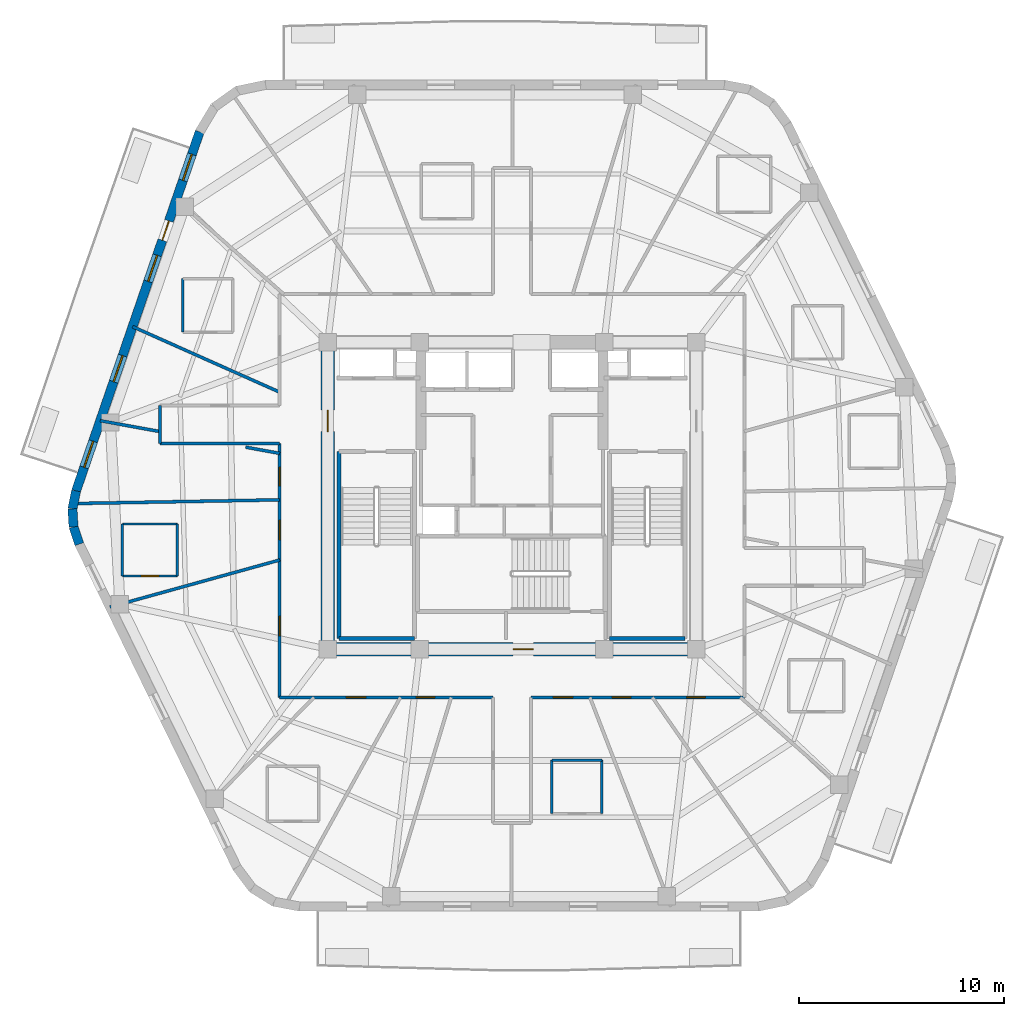
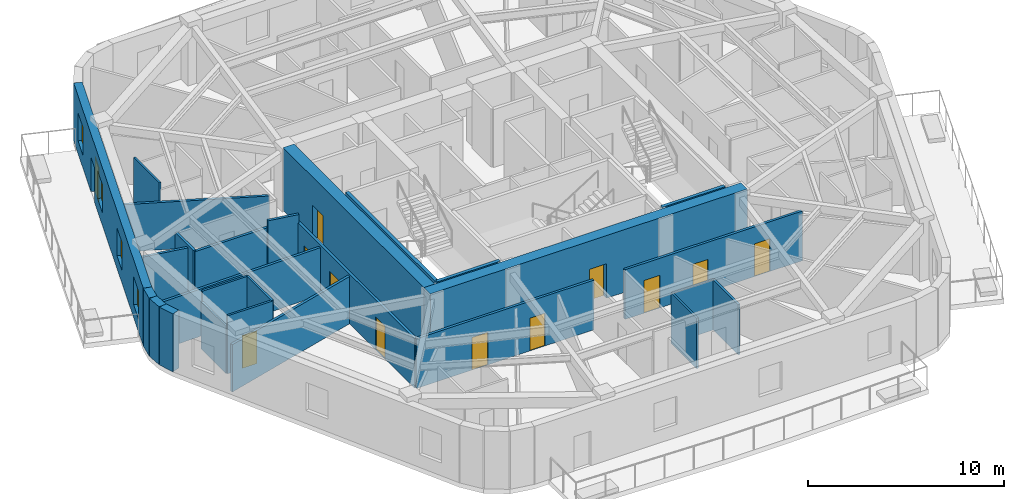
# One storey, part 3 of 9: 27 walls, 12 doors, 4 windows, 16 openings.
"""IFC4 building model written with IfcOpenShell, lengths in metres."""

from ifc_helpers import new_model, si_unit, direction, frame, frame_2d, origin, place, context, subcontext, project, spatial, rectangle, extrude, material, layer, layer_set, type_object, element, fill, save


model = new_model("IFC4")

# Units and contexts
model_context = context("Model", 3, precision=1e-05, world=origin(), true_north=direction((0.0, 1.0)))
body_context = subcontext(model_context, "Body", "Model", "MODEL_VIEW")
ifc_project = project(units=[si_unit("LENGTHUNIT", "METRE"), si_unit("AREAUNIT", "SQUARE_METRE"), si_unit("VOLUMEUNIT", "CUBIC_METRE"), si_unit("PLANEANGLEUNIT", "RADIAN"), si_unit("MASSUNIT", "GRAM", prefix="KILO")], contexts=[model_context])

# Site, building, storey
site_placement = place(None, origin())
site = spatial("IfcSite", under=ifc_project, at=site_placement, CompositionType="ELEMENT")
building_placement = place(site_placement, origin())
building = spatial("IfcBuilding", under=site, at=building_placement, Name="Kilnhurst Terrace Hotel", CompositionType="ELEMENT")
storey_placement = place(building_placement, frame((0.0, 0.0, 261.300048828125)))
storey = spatial("IfcBuildingStorey", under=building, at=storey_placement, Name="L65", CompositionType="ELEMENT", Elevation=261.300048828125)

# Walls
ifc_material_1 = material(Name="Precast concrete C40/50", Category="concrete")
ifc_layer_1 = layer(ifc_material_1, 0.449951171875, Name="Precast concrete C40/50")
ifc_layer_set_1 = layer_set([ifc_layer_1], Name="Precast concrete C40/50")
wall_type_1 = type_object("IfcWallType", Name="WL-BRK-450", PredefinedType="SOLIDWALL", material=ifc_layer_set_1)
wall_1_placement = place(storey_placement, frame((-21.297607421875, 0.2333984375, 0.0), z_axis=(0.0, 0.0, 1.0), x_axis=(-0.199158176661, -0.979967356941, 0.0)))
element("IfcWall", 1, at=wall_1_placement, inside=storey, type_object=wall_type_1, Name="L65 Rounded Corner Brick Wall C6.1", PredefinedType="SOLIDWALL", context=body_context, shape_type="SweptSolid", body=[
    extrude(rectangle(XDim=0.894775390625, YDim=0.449951171875, at=frame_2d((0.447265625, 0.0))), origin(), (0.0, 0.0, 1.0), 3.599853515625),
])
wall_2_placement = place(storey_placement, frame((-21.475830078125, -0.6435546875, 0.0), z_axis=(0.0, 0.0, 1.0), x_axis=(0.061031097918, -0.998135865044, 0.0)))
element("IfcWall", 2, at=wall_2_placement, inside=storey, type_object=wall_type_1, Name="L65 Rounded Corner Brick Wall C6.2", PredefinedType="SOLIDWALL", context=body_context, shape_type="SweptSolid", body=[
    extrude(rectangle(XDim=0.880126953125, YDim=0.449951171875, at=frame_2d((0.43994140625, 0.0))), origin(), (0.0, 0.0, 1.0), 3.599853515625),
])
wall_3_placement = place(storey_placement, frame((-21.422119140625, -1.52197265625, 0.0), z_axis=(0.0, 0.0, 1.0), x_axis=(0.316964162323, -0.94843751497, 0.0)))
element("IfcWall", 3, at=wall_3_placement, inside=storey, type_object=wall_type_1, Name="L65 Rounded Corner Brick Wall C6.3", PredefinedType="SOLIDWALL", context=body_context, shape_type="SweptSolid", body=[
    extrude(rectangle(XDim=0.89501953125, YDim=0.449951171875, at=frame_2d((0.447509765625, 0.0))), origin(), (0.0, 0.0, 1.0), 3.599853515625),
])

# Wall, openings, door, windows
wall_4_placement = place(storey_placement, frame((-15.260498046875, 17.776123046875, 0.0), z_axis=(0.0, 0.0, 1.0), x_axis=(-0.325407437101, -0.945573899745, 0.0)))
wall_4 = element("IfcWall", 4, at=wall_4_placement, inside=storey, type_object=wall_type_1, Name="L65 Exterior Brick Facade Wall F5", PredefinedType="SOLIDWALL", context=body_context, shape_type="SweptSolid", body=[
    extrude(rectangle(XDim=18.552490234375, YDim=0.449951171875, at=frame_2d((9.2763671875, 0.0))), origin(), (0.0, 0.0, 1.0), 3.599853515625),
])
opening_1_placement = place(wall_4_placement, frame((4.60205078125, 0.0, 0.0)))
opening_1 = element("IfcOpeningElement", 5, at=opening_1_placement, cuts=wall_4, Name="Opening BD-1000", PredefinedType="OPENING", context=body_context, shape_type="SweptSolid", body=[
    extrude(rectangle(XDim=1.0, YDim=2.14990234375, at=frame_2d((0.5, 1.074951171875))), frame((0.0, 0.23486328125, 0.0), z_axis=(0.0, -1.0, 0.0), x_axis=(1.0, 0.0, 0.0)), (0.0, 0.0, 1.0), 0.469970703125),
])
opening_2_placement = place(wall_4_placement, frame((1.160888671875, 0.0, 0.800048828125)))
opening_2 = element("IfcOpeningElement", 6, at=opening_2_placement, cuts=wall_4, Name="Opening W-06", PredefinedType="OPENING", context=body_context, shape_type="SweptSolid", body=[
    extrude(rectangle(XDim=1.35009765625, YDim=1.75, at=frame_2d((0.675048828125, 0.875))), frame((0.0, 0.23486328125, 0.0), z_axis=(0.0, -1.0, 0.0), x_axis=(1.0, 0.0, 0.0)), (0.0, 0.0, 1.0), 0.469970703125),
])
opening_3_placement = place(wall_4_placement, frame((6.37890625, 0.0, 0.800048828125)))
opening_3 = element("IfcOpeningElement", 7, at=opening_3_placement, cuts=wall_4, Name="Opening W-06", PredefinedType="OPENING", context=body_context, shape_type="SweptSolid", body=[
    extrude(rectangle(XDim=1.35009765625, YDim=1.75, at=frame_2d((0.675048828125, 0.875))), frame((0.0, 0.23486328125, 0.0), z_axis=(0.0, -1.0, 0.0), x_axis=(1.0, 0.0, 0.0)), (0.0, 0.0, 1.0), 0.469970703125),
])
opening_4_placement = place(wall_4_placement, frame((11.56103515625, 0.0, 0.800048828125)))
opening_4 = element("IfcOpeningElement", 8, at=opening_4_placement, cuts=wall_4, Name="Opening W-06", PredefinedType="OPENING", context=body_context, shape_type="SweptSolid", body=[
    extrude(rectangle(XDim=1.35009765625, YDim=1.75, at=frame_2d((0.675048828125, 0.875))), frame((0.0, 0.23486328125, 0.0), z_axis=(0.0, -1.0, 0.0), x_axis=(1.0, 0.0, 0.0)), (0.0, 0.0, 1.0), 0.469970703125),
])
opening_5_placement = place(wall_4_placement, frame((15.987060546875, 0.0, 0.800048828125)))
opening_5 = element("IfcOpeningElement", 9, at=opening_5_placement, cuts=wall_4, Name="Opening W-06", PredefinedType="OPENING", context=body_context, shape_type="SweptSolid", body=[
    extrude(rectangle(XDim=1.35009765625, YDim=1.75, at=frame_2d((0.675048828125, 0.875))), frame((0.0, 0.23486328125, 0.0), z_axis=(0.0, -1.0, 0.0), x_axis=(1.0, 0.0, 0.0)), (0.0, 0.0, 1.0), 0.469970703125),
])
ifc_material_2 = material(Name="Thermally Broken Bronze Aluminium Alloy 6063-T6 and Laminated Glass", Category="aluminium")
door_type_1 = type_object("IfcDoorType", Name="DR-EXT-BAL-1000", OperationType="NOTDEFINED", PredefinedType="DOOR", material=ifc_material_2)
door_1_placement = place(opening_1_placement, origin())
door_1 = element("IfcDoor", 10, at=door_1_placement, inside=storey, type_object=door_type_1, Name="L65 Planted Balcony Door BAL-L2B", OperationType="SINGLE_SWING_LEFT", OverallHeight=2.14990234375, OverallWidth=1.0, PredefinedType="DOOR", context=body_context, shape_type="SweptSolid", body=[
    extrude(rectangle(XDim=1.0, YDim=2.14990234375, at=frame_2d((0.5, 1.074951171875))), frame((0.0, 0.02490234375, 0.0), z_axis=(0.0, -1.0, 0.0), x_axis=(1.0, 0.0, 0.0)), (0.0, 0.0, 1.0), 0.050048828125),
])
fill(opening_1, door_1)
ifc_material_3 = material(Name="Thermally Broken Bronze Aluminium Alloy 6063-T6 and Low-E Glass", Category="aluminium")
window_type = type_object("IfcWindowType", Name="WIN-1350X1750", PartitioningType="SINGLE_PANEL", PredefinedType="WINDOW", material=ifc_material_3)
window_1_placement = place(opening_2_placement, origin())
window_1 = element("IfcWindow", 11, at=window_1_placement, inside=storey, type_object=window_type, Name="L65 Deep-Set Masonry Window F5.1", OverallHeight=1.75, OverallWidth=1.35009765625, PartitioningType="SINGLE_PANEL", PredefinedType="WINDOW", context=body_context, shape_type="SweptSolid", body=[
    extrude(rectangle(XDim=1.35009765625, YDim=1.75, at=frame_2d((0.675048828125, 0.875))), frame((0.0, 0.030029296875, 0.0), z_axis=(0.0, -1.0, 0.0), x_axis=(1.0, 0.0, 0.0)), (0.0, 0.0, 1.0), 0.06005859375),
])
fill(opening_2, window_1)
window_2_placement = place(opening_3_placement, origin())
window_2 = element("IfcWindow", 12, at=window_2_placement, inside=storey, type_object=window_type, Name="L65 Deep-Set Masonry Window F5.2", OverallHeight=1.75, OverallWidth=1.35009765625, PartitioningType="SINGLE_PANEL", PredefinedType="WINDOW", context=body_context, shape_type="SweptSolid", body=[
    extrude(rectangle(XDim=1.35009765625, YDim=1.75, at=frame_2d((0.675048828125, 0.875))), frame((0.0, 0.030029296875, 0.0), z_axis=(0.0, -1.0, 0.0), x_axis=(1.0, 0.0, 0.0)), (0.0, 0.0, 1.0), 0.06005859375),
])
fill(opening_3, window_2)
window_3_placement = place(opening_4_placement, origin())
window_3 = element("IfcWindow", 13, at=window_3_placement, inside=storey, type_object=window_type, Name="L65 Deep-Set Masonry Window F5.3", OverallHeight=1.75, OverallWidth=1.35009765625, PartitioningType="SINGLE_PANEL", PredefinedType="WINDOW", context=body_context, shape_type="SweptSolid", body=[
    extrude(rectangle(XDim=1.35009765625, YDim=1.75, at=frame_2d((0.675048828125, 0.875))), frame((0.0, 0.030029296875, 0.0), z_axis=(0.0, -1.0, 0.0), x_axis=(1.0, 0.0, 0.0)), (0.0, 0.0, 1.0), 0.06005859375),
])
fill(opening_4, window_3)
window_4_placement = place(opening_5_placement, origin())
window_4 = element("IfcWindow", 14, at=window_4_placement, inside=storey, type_object=window_type, Name="L65 Deep-Set Masonry Window F5.4", OverallHeight=1.75, OverallWidth=1.35009765625, PartitioningType="SINGLE_PANEL", PredefinedType="WINDOW", context=body_context, shape_type="SweptSolid", body=[
    extrude(rectangle(XDim=1.35009765625, YDim=1.75, at=frame_2d((0.675048828125, 0.875))), frame((0.0, 0.030029296875, 0.0), z_axis=(0.0, -1.0, 0.0), x_axis=(1.0, 0.0, 0.0)), (0.0, 0.0, 1.0), 0.06005859375),
])
fill(opening_5, window_4)

# Wall, openings, doors
ifc_material_4 = material(Name="Acoustic Double-Gypsum Corridor Partition Assembly")
ifc_layer_2 = layer(ifc_material_4, 0.14990234375, Name="Acoustic Double-Gypsum Corridor Partition Assembly")
ifc_layer_set_2 = layer_set([ifc_layer_2], Name="Acoustic Double-Gypsum Corridor Partition Assembly")
wall_type_2 = type_object("IfcWallType", Name="WL-COR-150", PredefinedType="PARTITIONING", material=ifc_layer_set_2)
wall_5_placement = place(storey_placement, frame((-11.35009765625, -9.85009765625, 0.0), z_axis=(0.0, 0.0, 1.0), x_axis=(0.0, 1.0, 0.0)))
wall_5 = element("IfcWall", 15, at=wall_5_placement, inside=storey, type_object=wall_type_2, Name="L65 Interior Wall WL-L65-COR-01", PredefinedType="PARTITIONING", context=body_context, shape_type="SweptSolid", body=[
    extrude(rectangle(XDim=12.400146484375, YDim=0.14990234375, at=frame_2d((6.2001953125, 0.0))), origin(), (0.0, 0.0, 1.0), 3.08984375),
])
opening_6_placement = place(wall_5_placement, frame((10.3330078125, 0.0, 0.0)))
opening_6 = element("IfcOpeningElement", 16, at=opening_6_placement, cuts=wall_5, Name="Opening D-60C", PredefinedType="OPENING", context=body_context, shape_type="SweptSolid", body=[
    extrude(rectangle(XDim=0.89990234375, YDim=2.030029296875, at=frame_2d((0.449951171875, 1.01513671875))), frame((0.0, 0.0849609375, 0.0), z_axis=(0.0, -1.0, 0.0), x_axis=(1.0, 0.0, 0.0)), (0.0, 0.0, 1.0), 0.169921875),
])
opening_7_placement = place(wall_5_placement, frame((7.697021484375, 0.0, 0.0)))
opening_7 = element("IfcOpeningElement", 17, at=opening_7_placement, cuts=wall_5, Name="Opening D-60B", PredefinedType="OPENING", context=body_context, shape_type="SweptSolid", body=[
    extrude(rectangle(XDim=0.949951171875, YDim=2.030029296875, at=frame_2d((0.47509765625, 1.01513671875))), frame((0.0, 0.0849609375, 0.0), z_axis=(0.0, -1.0, 0.0), x_axis=(1.0, 0.0, 0.0)), (0.0, 0.0, 1.0), 0.169921875),
])
opening_8_placement = place(wall_5_placement, frame((2.998046875, 0.0, 0.0)))
opening_8 = element("IfcOpeningElement", 18, at=opening_8_placement, cuts=wall_5, Name="Opening D-60B", PredefinedType="OPENING", context=body_context, shape_type="SweptSolid", body=[
    extrude(rectangle(XDim=0.949951171875, YDim=2.030029296875, at=frame_2d((0.47509765625, 1.01513671875))), frame((0.0, 0.0849609375, 0.0), z_axis=(0.0, -1.0, 0.0), x_axis=(1.0, 0.0, 0.0)), (0.0, 0.0, 1.0), 0.169921875),
])
ifc_material_5 = material(Name="Painted Solid-Core Service Fire Door")
door_type_2 = type_object("IfcDoorType", Name="DR-FD60-900", OperationType="NOTDEFINED", PredefinedType="DOOR", material=ifc_material_5)
door_2_placement = place(opening_6_placement, origin())
door_2 = element("IfcDoor", 19, at=door_2_placement, inside=storey, type_object=door_type_2, Name="L65 Private Tasting Dining Room Door 11", OperationType="SINGLE_SWING_LEFT", OverallHeight=2.030029296875, OverallWidth=0.89990234375, PredefinedType="DOOR", context=body_context, shape_type="SweptSolid", body=[
    extrude(rectangle(XDim=0.89990234375, YDim=2.030029296875, at=frame_2d((0.449951171875, 1.01513671875))), frame((0.0, 0.02490234375, 0.0), z_axis=(0.0, -1.0, 0.0), x_axis=(1.0, 0.0, 0.0)), (0.0, 0.0, 1.0), 0.050048828125),
])
fill(opening_6, door_2)
ifc_material_6 = material(Name="Acoustic Walnut Veneer Solid-Core Fire Door")
door_type_3 = type_object("IfcDoorType", Name="DR-FD60-950", OperationType="NOTDEFINED", PredefinedType="DOOR", material=ifc_material_6)
door_3_placement = place(opening_7_placement, origin())
door_3 = element("IfcDoor", 20, at=door_3_placement, inside=storey, type_object=door_type_3, Name="L65 Guest Room Entry Door 12", OperationType="SINGLE_SWING_RIGHT", OverallHeight=2.030029296875, OverallWidth=0.949951171875, PredefinedType="DOOR", context=body_context, shape_type="SweptSolid", body=[
    extrude(rectangle(XDim=0.949951171875, YDim=2.030029296875, at=frame_2d((0.47509765625, 1.01513671875))), frame((0.0, 0.02490234375, 0.0), z_axis=(0.0, -1.0, 0.0), x_axis=(1.0, 0.0, 0.0)), (0.0, 0.0, 1.0), 0.050048828125),
])
fill(opening_7, door_3)
door_4_placement = place(opening_8_placement, origin())
door_4 = element("IfcDoor", 21, at=door_4_placement, inside=storey, type_object=door_type_3, Name="L65 Summit Club Lounge Door", OperationType="SINGLE_SWING_LEFT", OverallHeight=2.030029296875, OverallWidth=0.949951171875, PredefinedType="DOOR", context=body_context, shape_type="SweptSolid", body=[
    extrude(rectangle(XDim=0.949951171875, YDim=2.030029296875, at=frame_2d((0.47509765625, 1.01513671875))), frame((0.0, 0.02490234375, 0.0), z_axis=(0.0, -1.0, 0.0), x_axis=(1.0, 0.0, 0.0)), (0.0, 0.0, 1.0), 0.050048828125),
])
fill(opening_8, door_4)

# Walls
wall_6_placement = place(storey_placement, frame((-11.35009765625, 2.550048828125, 0.0), z_axis=(0.0, 0.0, 1.0), x_axis=(-1.0, 0.0, 0.0)))
element("IfcWall", 22, at=wall_6_placement, inside=storey, type_object=wall_type_2, Name="L65 Interior Wall WL-L65-COR-02", PredefinedType="PARTITIONING", context=body_context, shape_type="SweptSolid", body=[
    extrude(rectangle(XDim=5.849853515625, YDim=0.14990234375, at=frame_2d((2.9248046875, 0.0))), origin(), (0.0, 0.0, 1.0), 3.04052734375),
])
wall_7_placement = place(storey_placement, frame((-17.199951171875, 2.550048828125, 0.0), z_axis=(0.0, 0.0, 1.0), x_axis=(0.0, 1.0, 0.0)))
element("IfcWall", 23, at=wall_7_placement, inside=storey, type_object=wall_type_2, Name="L65 Interior Wall WL-L65-COR-03", PredefinedType="PARTITIONING", context=body_context, shape_type="SweptSolid", body=[
    extrude(rectangle(XDim=1.849853515625, YDim=0.14990234375, at=frame_2d((0.9248046875, 0.0))), origin(), (0.0, 0.0, 1.0), 3.08984375),
])

# Wall, openings, doors
wall_8_placement = place(storey_placement, frame((11.35009765625, -9.85009765625, 0.0), z_axis=(0.0, 0.0, 1.0), x_axis=(-1.0, 0.0, 0.0)))
wall_8 = element("IfcWall", 24, at=wall_8_placement, inside=storey, type_object=wall_type_2, Name="L65 Interior Wall WL-L65-COR-16", PredefinedType="PARTITIONING", context=body_context, shape_type="SweptSolid", body=[
    extrude(rectangle(XDim=10.43017578125, YDim=0.14990234375, at=frame_2d((5.215087890625, 0.0))), origin(), (0.0, 0.0, 1.0), 3.08984375),
])
opening_9_placement = place(wall_8_placement, frame((8.382080078125, 0.0, 0.0)))
opening_9 = element("IfcOpeningElement", 25, at=opening_9_placement, cuts=wall_8, Name="Opening D-60B", PredefinedType="OPENING", context=body_context, shape_type="SweptSolid", body=[
    extrude(rectangle(XDim=0.949951171875, YDim=2.030029296875, at=frame_2d((0.47509765625, 1.01513671875))), frame((0.0, 0.0849609375, 0.0), z_axis=(0.0, -1.0, 0.0), x_axis=(1.0, 0.0, 0.0)), (0.0, 0.0, 1.0), 0.169921875),
])
opening_10_placement = place(wall_8_placement, frame((5.541015625, 0.0, 0.0)))
opening_10 = element("IfcOpeningElement", 26, at=opening_10_placement, cuts=wall_8, Name="Opening D-60C", PredefinedType="OPENING", context=body_context, shape_type="SweptSolid", body=[
    extrude(rectangle(XDim=0.89990234375, YDim=2.030029296875, at=frame_2d((0.449951171875, 1.01513671875))), frame((0.0, 0.0849609375, 0.0), z_axis=(0.0, -1.0, 0.0), x_axis=(1.0, 0.0, 0.0)), (0.0, 0.0, 1.0), 0.169921875),
])
opening_11_placement = place(wall_8_placement, frame((1.916015625, 0.0, 0.0)))
opening_11 = element("IfcOpeningElement", 27, at=opening_11_placement, cuts=wall_8, Name="Opening D-60C", PredefinedType="OPENING", context=body_context, shape_type="SweptSolid", body=[
    extrude(rectangle(XDim=0.89990234375, YDim=2.030029296875, at=frame_2d((0.449951171875, 1.01513671875))), frame((0.0, 0.0849609375, 0.0), z_axis=(0.0, -1.0, 0.0), x_axis=(1.0, 0.0, 0.0)), (0.0, 0.0, 1.0), 0.169921875),
])
door_5_placement = place(opening_10_placement, origin())
door_5 = element("IfcDoor", 28, at=door_5_placement, inside=storey, type_object=door_type_2, Name="L65 Botanical Reading Lounge Door 18", OperationType="SINGLE_SWING_RIGHT", OverallHeight=2.030029296875, OverallWidth=0.89990234375, PredefinedType="DOOR", context=body_context, shape_type="SweptSolid", body=[
    extrude(rectangle(XDim=0.89990234375, YDim=2.030029296875, at=frame_2d((0.449951171875, 1.01513671875))), frame((0.0, 0.02490234375, 0.0), z_axis=(0.0, -1.0, 0.0), x_axis=(1.0, 0.0, 0.0)), (0.0, 0.0, 1.0), 0.050048828125),
])
fill(opening_10, door_5)
door_6_placement = place(opening_11_placement, origin())
door_6 = element("IfcDoor", 29, at=door_6_placement, inside=storey, type_object=door_type_2, Name="L65 Private Meeting Salon Door 19", OperationType="SINGLE_SWING_LEFT", OverallHeight=2.030029296875, OverallWidth=0.89990234375, PredefinedType="DOOR", context=body_context, shape_type="SweptSolid", body=[
    extrude(rectangle(XDim=0.89990234375, YDim=2.030029296875, at=frame_2d((0.449951171875, 1.01513671875))), frame((0.0, 0.02490234375, 0.0), z_axis=(0.0, -1.0, 0.0), x_axis=(1.0, 0.0, 0.0)), (0.0, 0.0, 1.0), 0.050048828125),
])
fill(opening_11, door_6)
door_7_placement = place(opening_9_placement, origin())
door_7 = element("IfcDoor", 30, at=door_7_placement, inside=storey, type_object=door_type_3, Name="L65 Guest Room Entry Door 17", OperationType="SINGLE_SWING_LEFT", OverallHeight=2.030029296875, OverallWidth=0.949951171875, PredefinedType="DOOR", context=body_context, shape_type="SweptSolid", body=[
    extrude(rectangle(XDim=0.949951171875, YDim=2.030029296875, at=frame_2d((0.47509765625, 1.01513671875))), frame((0.0, 0.02490234375, 0.0), z_axis=(0.0, -1.0, 0.0), x_axis=(1.0, 0.0, 0.0)), (0.0, 0.0, 1.0), 0.050048828125),
])
fill(opening_9, door_7)

wall_9_placement = place(storey_placement, frame((-0.919921875, -9.85009765625, 0.0), z_axis=(0.0, 0.0, 1.0), x_axis=(-1.0, 0.0, 0.0)))
wall_9 = element("IfcWall", 31, at=wall_9_placement, inside=storey, type_object=wall_type_2, Name="L65 Interior Wall WL-L65-COR-20", PredefinedType="PARTITIONING", context=body_context, shape_type="SweptSolid", body=[
    extrude(rectangle(XDim=10.43017578125, YDim=0.14990234375, at=frame_2d((5.215087890625, 0.0))), origin(), (0.0, 0.0, 1.0), 3.08984375),
])
opening_12_placement = place(wall_9_placement, frame((6.216064453125, 0.0, 0.0)))
opening_12 = element("IfcOpeningElement", 32, at=opening_12_placement, cuts=wall_9, Name="Opening D-60B", PredefinedType="OPENING", context=body_context, shape_type="SweptSolid", body=[
    extrude(rectangle(XDim=0.949951171875, YDim=2.030029296875, at=frame_2d((0.47509765625, 1.01513671875))), frame((0.0, 0.0849609375, 0.0), z_axis=(0.0, -1.0, 0.0), x_axis=(1.0, 0.0, 0.0)), (0.0, 0.0, 1.0), 0.169921875),
])
opening_13_placement = place(wall_9_placement, frame((2.860107421875, 0.0, 0.0)))
opening_13 = element("IfcOpeningElement", 33, at=opening_13_placement, cuts=wall_9, Name="Opening D-60C", PredefinedType="OPENING", context=body_context, shape_type="SweptSolid", body=[
    extrude(rectangle(XDim=0.89990234375, YDim=2.030029296875, at=frame_2d((0.449951171875, 1.01513671875))), frame((0.0, 0.0849609375, 0.0), z_axis=(0.0, -1.0, 0.0), x_axis=(1.0, 0.0, 0.0)), (0.0, 0.0, 1.0), 0.169921875),
])
door_8_placement = place(opening_13_placement, origin())
door_8 = element("IfcDoor", 34, at=door_8_placement, inside=storey, type_object=door_type_2, Name="L65 Executive Work Office Door 15", OperationType="SINGLE_SWING_LEFT", OverallHeight=2.030029296875, OverallWidth=0.89990234375, PredefinedType="DOOR", context=body_context, shape_type="SweptSolid", body=[
    extrude(rectangle(XDim=0.89990234375, YDim=2.030029296875, at=frame_2d((0.449951171875, 1.01513671875))), frame((0.0, 0.02490234375, 0.0), z_axis=(0.0, -1.0, 0.0), x_axis=(1.0, 0.0, 0.0)), (0.0, 0.0, 1.0), 0.050048828125),
])
fill(opening_13, door_8)
door_9_placement = place(opening_12_placement, origin())
door_9 = element("IfcDoor", 35, at=door_9_placement, inside=storey, type_object=door_type_3, Name="L65 Guest Room Entry Door 14", OperationType="SINGLE_SWING_RIGHT", OverallHeight=2.030029296875, OverallWidth=0.949951171875, PredefinedType="DOOR", context=body_context, shape_type="SweptSolid", body=[
    extrude(rectangle(XDim=0.949951171875, YDim=2.030029296875, at=frame_2d((0.47509765625, 1.01513671875))), frame((0.0, 0.02490234375, 0.0), z_axis=(0.0, -1.0, 0.0), x_axis=(1.0, 0.0, 0.0)), (0.0, 0.0, 1.0), 0.050048828125),
])
fill(opening_12, door_9)

# Wall, opening, door
ifc_material_7 = material(Name="Concrete C60/75", Category="concrete")
ifc_layer_3 = layer(ifc_material_7, 0.64990234375, Name="Concrete C60/75")
ifc_layer_set_3 = layer_set([ifc_layer_3], Name="Concrete C60/75")
wall_type_3 = type_object("IfcWallType", Name="WL-CORE-650", PredefinedType="SHEAR", material=ifc_layer_set_3)
wall_10_placement = place(storey_placement, frame((-9.324951171875, -7.5, 0.0), z_axis=(0.0, 0.0, 1.0), x_axis=(1.0, 0.0, 0.0)))
wall_10 = element("IfcWall", 36, at=wall_10_placement, inside=storey, type_object=wall_type_3, Name="L65 Core South Shear Wall", PredefinedType="SHEAR", context=body_context, shape_type="SweptSolid", body=[
    extrude(rectangle(XDim=18.64990234375, YDim=0.64990234375, at=frame_2d((9.324951171875, 0.0))), origin(), (0.0, 0.0, 1.0), 3.89990234375),
])
opening_14_placement = place(wall_10_placement, frame((9.375, 0.0, 0.0)))
opening_14 = element("IfcOpeningElement", 37, at=opening_14_placement, cuts=wall_10, Name="Opening D-90B", PredefinedType="OPENING", context=body_context, shape_type="SweptSolid", body=[
    extrude(rectangle(XDim=1.0, YDim=2.14990234375, at=frame_2d((0.5, 1.074951171875))), frame((0.0, 0.3349609375, 0.0), z_axis=(0.0, -1.0, 0.0), x_axis=(1.0, 0.0, 0.0)), (0.0, 0.0, 1.0), 0.669921875),
])
ifc_material_8 = material(Name="Painted Hollow Metal Steel ASTM A36 Fire Door", Category="steel")
door_type_4 = type_object("IfcDoorType", Name="DR-FD90-1000", OperationType="NOTDEFINED", PredefinedType="DOOR", material=ifc_material_8)
door_10_placement = place(opening_14_placement, origin())
door_10 = element("IfcDoor", 38, at=door_10_placement, inside=storey, type_object=door_type_4, Name="L65 Stair ST-3 Corridor Door", OperationType="SINGLE_SWING_RIGHT", OverallHeight=2.14990234375, OverallWidth=1.0, PredefinedType="DOOR", context=body_context, shape_type="SweptSolid", body=[
    extrude(rectangle(XDim=1.0, YDim=2.14990234375, at=frame_2d((0.5, 1.074951171875))), frame((0.0, 0.02490234375, 0.0), z_axis=(0.0, -1.0, 0.0), x_axis=(1.0, 0.0, 0.0)), (0.0, 0.0, 1.0), 0.050048828125),
])
fill(opening_14, door_10)

wall_11_placement = place(storey_placement, frame((-9.0, -7.175048828125, 0.0), z_axis=(0.0, 0.0, 1.0), x_axis=(0.0, 1.0, 0.0)))
wall_11 = element("IfcWall", 39, at=wall_11_placement, inside=storey, type_object=wall_type_3, Name="L65 Core West Shear Wall", PredefinedType="SHEAR", context=body_context, shape_type="SweptSolid", body=[
    extrude(rectangle(XDim=14.35009765625, YDim=0.64990234375, at=frame_2d((7.175048828125, 0.0))), origin(), (0.0, 0.0, 1.0), 3.89990234375),
])
opening_15_placement = place(wall_11_placement, frame((10.300048828125, 0.0, 0.0)))
opening_15 = element("IfcOpeningElement", 40, at=opening_15_placement, cuts=wall_11, Name="Opening D-90A", PredefinedType="OPENING", context=body_context, shape_type="SweptSolid", body=[
    extrude(rectangle(XDim=1.050048828125, YDim=2.14990234375, at=frame_2d((0.52490234375, 1.074951171875))), frame((0.0, 0.3349609375, 0.0), z_axis=(0.0, -1.0, 0.0), x_axis=(1.0, 0.0, 0.0)), (0.0, 0.0, 1.0), 0.669921875),
])
door_type_5 = type_object("IfcDoorType", Name="DR-FD90-1050", OperationType="NOTDEFINED", PredefinedType="DOOR", material=ifc_material_8)
door_11_placement = place(opening_15_placement, origin())
door_11 = element("IfcDoor", 41, at=door_11_placement, inside=storey, type_object=door_type_5, Name="L65 West Firefighting Lobby Door", OperationType="SINGLE_SWING_RIGHT", OverallHeight=2.14990234375, OverallWidth=1.050048828125, PredefinedType="DOOR", context=body_context, shape_type="SweptSolid", body=[
    extrude(rectangle(XDim=1.050048828125, YDim=2.14990234375, at=frame_2d((0.52490234375, 1.074951171875))), frame((0.0, 0.02490234375, 0.0), z_axis=(0.0, -1.0, 0.0), x_axis=(1.0, 0.0, 0.0)), (0.0, 0.0, 1.0), 0.050048828125),
])
fill(opening_15, door_11)

# Walls
ifc_material_9 = material(Name="STC-58 Acoustic Twin-Frame Guestroom Demising Partition")
ifc_layer_4 = layer(ifc_material_9, 0.14990234375, Name="STC-58 Acoustic Twin-Frame Guestroom Demising Partition")
ifc_layer_set_4 = layer_set([ifc_layer_4], Name="STC-58 Acoustic Twin-Frame Guestroom Demising Partition")
wall_type_4 = type_object("IfcWallType", Name="WL-DEM-150", PredefinedType="PARTITIONING", material=ifc_layer_set_4)
wall_12_placement = place(storey_placement, frame((-11.35009765625, 5.056640625, 0.0), z_axis=(0.0, 0.0, 1.0), x_axis=(-0.91344644156, 0.406958964026, 0.0)))
element("IfcWall", 42, at=wall_12_placement, inside=storey, type_object=wall_type_4, Name="L65 Interior Wall WL-L65-DEM-MID05-10-1", PredefinedType="PARTITIONING", context=body_context, shape_type="SweptSolid", body=[
    extrude(rectangle(XDim=7.86669921875, YDim=0.14990234375, at=frame_2d((3.933349609375, 0.0))), origin(), (0.0, 0.0, 1.0), 2.93994140625),
])
wall_13_placement = place(storey_placement, frame((-11.35009765625, 2.067138671875, 0.0), z_axis=(0.0, 0.0, 1.0), x_axis=(-0.983807459651, 0.179228575665, 0.0)))
element("IfcWall", 43, at=wall_13_placement, inside=storey, type_object=wall_type_4, Name="L65 Interior Wall WL-L65-DEM-COL06-11-1", PredefinedType="PARTITIONING", context=body_context, shape_type="SweptSolid", body=[
    extrude(rectangle(XDim=1.6904296875, YDim=0.14990234375, at=frame_2d((0.84521484375, 0.0))), origin(), (0.0, 0.0, 1.0), 3.599853515625),
])
wall_14_placement = place(storey_placement, frame((-17.199951171875, 3.132568359375, 0.0), z_axis=(0.0, 0.0, 1.0), x_axis=(-0.983817168797, 0.179175272791, 0.0)))
element("IfcWall", 44, at=wall_14_placement, inside=storey, type_object=wall_type_4, Name="L65 Interior Wall WL-L65-DEM-COL06-11-2", PredefinedType="PARTITIONING", context=body_context, shape_type="SweptSolid", body=[
    extrude(rectangle(XDim=2.965087890625, YDim=0.14990234375, at=frame_2d((1.482421875, 0.0))), origin(), (0.0, 0.0, 1.0), 2.93994140625),
])
wall_15_placement = place(storey_placement, frame((-11.35009765625, -0.2041015625, 0.0), z_axis=(0.0, 0.0, 1.0), x_axis=(-0.999838748671, -0.017957635019, 0.0)))
element("IfcWall", 45, at=wall_15_placement, inside=storey, type_object=wall_type_4, Name="L65 Interior Wall WL-L65-DEM-MID06-12-1", PredefinedType="PARTITIONING", context=body_context, shape_type="SweptSolid", body=[
    extrude(rectangle(XDim=9.9111328125, YDim=0.14990234375, at=frame_2d((4.95556640625, 0.0))), origin(), (0.0, 0.0, 1.0), 2.93994140625),
])
wall_16_placement = place(storey_placement, frame((-11.35009765625, -3.142822265625, 0.0), z_axis=(0.0, 0.0, 1.0), x_axis=(-0.963731818141, -0.266872596386, 0.0)))
element("IfcWall", 46, at=wall_16_placement, inside=storey, type_object=wall_type_4, Name="L65 Interior Wall WL-L65-DEM-COL07-13-1", PredefinedType="PARTITIONING", context=body_context, shape_type="SweptSolid", body=[
    extrude(rectangle(XDim=8.604736328125, YDim=0.14990234375, at=frame_2d((4.30224609375, 0.0))), origin(), (0.0, 0.0, 1.0), 2.93994140625),
])
ifc_material_10 = material(Name="120 mm Moisture-Resistant Tile-Backed Bathroom Partition")
ifc_layer_5 = layer(ifc_material_10, 0.1201171875, Name="120 mm Moisture-Resistant Tile-Backed Bathroom Partition")
ifc_layer_set_5 = layer_set([ifc_layer_5], Name="120 mm Moisture-Resistant Tile-Backed Bathroom Partition")
wall_type_5 = type_object("IfcWallType", Name="WL-PART-120", PredefinedType="PARTITIONING", material=ifc_layer_set_5)
wall_17_placement = place(storey_placement, frame((-16.0791015625, 10.60205078125, 0.0), z_axis=(0.0, 0.0, 1.0), x_axis=(0.0, -1.0, 0.0)))
element("IfcWall", 47, at=wall_17_placement, inside=storey, type_object=wall_type_5, Name="L65 Interior Wall WL-L65-BTH-09-4", PredefinedType="PARTITIONING", context=body_context, shape_type="SweptSolid", body=[
    extrude(rectangle(XDim=2.610107421875, YDim=0.1201171875, at=frame_2d((1.30517578125, 0.0))), origin(), (0.0, 0.0, 1.0), 3.599853515625),
])

# Wall, opening, door
wall_18_placement = place(storey_placement, frame((-19.031005859375, -3.924072265625, 0.0), z_axis=(0.0, 0.0, 1.0), x_axis=(1.0, 0.0, 0.0)))
wall_18 = element("IfcWall", 48, at=wall_18_placement, inside=storey, type_object=wall_type_5, Name="L65 Interior Wall WL-L65-BTH-12-1", PredefinedType="PARTITIONING", context=body_context, shape_type="SweptSolid", body=[
    extrude(rectangle(XDim=2.679931640625, YDim=0.1201171875, at=frame_2d((1.33984375, 0.0))), origin(), (0.0, 0.0, 1.0), 3.599853515625),
])
opening_16_placement = place(wall_18_placement, frame((0.9150390625, 0.0, 0.0)))
opening_16 = element("IfcOpeningElement", 49, at=opening_16_placement, cuts=wall_18, Name="Opening D-08A", PredefinedType="OPENING", context=body_context, shape_type="SweptSolid", body=[
    extrude(rectangle(XDim=0.85009765625, YDim=2.030029296875, at=frame_2d((0.425048828125, 1.01513671875))), frame((0.0, 0.070068359375, 0.0), z_axis=(0.0, -1.0, 0.0), x_axis=(1.0, 0.0, 0.0)), (0.0, 0.0, 1.0), 0.14013671875),
])
ifc_material_11 = material(Name="Moisture-Resistant Lacquered En-suite Bathroom Door")
door_type_6 = type_object("IfcDoorType", Name="DR-INT-850", OperationType="NOTDEFINED", PredefinedType="DOOR", material=ifc_material_11)
door_12_placement = place(opening_16_placement, origin())
door_12 = element("IfcDoor", 50, at=door_12_placement, inside=storey, type_object=door_type_6, Name="L65 En-suite Bathroom Door 12", OperationType="SINGLE_SWING_LEFT", OverallHeight=2.030029296875, OverallWidth=0.85009765625, PredefinedType="DOOR", context=body_context, shape_type="SweptSolid", body=[
    extrude(rectangle(XDim=0.85009765625, YDim=2.030029296875, at=frame_2d((0.425048828125, 1.01513671875))), frame((0.0, 0.02490234375, 0.0), z_axis=(0.0, -1.0, 0.0), x_axis=(1.0, 0.0, 0.0)), (0.0, 0.0, 1.0), 0.050048828125),
])
fill(opening_16, door_12)

# Walls
wall_19_placement = place(storey_placement, frame((-16.35107421875, -3.924072265625, 0.0), z_axis=(0.0, 0.0, 1.0), x_axis=(0.0, 1.0, 0.0)))
element("IfcWall", 51, at=wall_19_placement, inside=storey, type_object=wall_type_5, Name="L65 Interior Wall WL-L65-BTH-12-2", PredefinedType="PARTITIONING", context=body_context, shape_type="SweptSolid", body=[
    extrude(rectangle(XDim=2.5400390625, YDim=0.1201171875, at=frame_2d((1.27001953125, 0.0))), origin(), (0.0, 0.0, 1.0), 3.599853515625),
])
wall_20_placement = place(storey_placement, frame((-16.35107421875, -1.384033203125, 0.0), z_axis=(0.0, 0.0, 1.0), x_axis=(-1.0, 0.0, 0.0)))
element("IfcWall", 52, at=wall_20_placement, inside=storey, type_object=wall_type_5, Name="L65 Interior Wall WL-L65-BTH-12-3", PredefinedType="PARTITIONING", context=body_context, shape_type="SweptSolid", body=[
    extrude(rectangle(XDim=2.679931640625, YDim=0.1201171875, at=frame_2d((1.33984375, 0.0))), origin(), (0.0, 0.0, 1.0), 3.599853515625),
])
wall_21_placement = place(storey_placement, frame((-19.031005859375, -1.384033203125, 0.0), z_axis=(0.0, 0.0, 1.0), x_axis=(0.0, -1.0, 0.0)))
element("IfcWall", 53, at=wall_21_placement, inside=storey, type_object=wall_type_5, Name="L65 Interior Wall WL-L65-BTH-12-4", PredefinedType="PARTITIONING", context=body_context, shape_type="SweptSolid", body=[
    extrude(rectangle(XDim=2.5400390625, YDim=0.1201171875, at=frame_2d((1.27001953125, 0.0))), origin(), (0.0, 0.0, 1.0), 2.93994140625),
])
wall_22_placement = place(storey_placement, frame((4.39111328125, -15.530029296875, 0.0), z_axis=(0.0, 0.0, 1.0), x_axis=(0.0, 1.0, 0.0)))
element("IfcWall", 54, at=wall_22_placement, inside=storey, type_object=wall_type_5, Name="L65 Interior Wall WL-L65-BTH-17-2", PredefinedType="PARTITIONING", context=body_context, shape_type="SweptSolid", body=[
    extrude(rectangle(XDim=2.610107421875, YDim=0.1201171875, at=frame_2d((1.30517578125, 0.0))), origin(), (0.0, 0.0, 1.0), 3.12646484375),
])
wall_23_placement = place(storey_placement, frame((4.39111328125, -12.919921875, 0.0), z_axis=(0.0, 0.0, 1.0), x_axis=(-1.0, 0.0, 0.0)))
element("IfcWall", 55, at=wall_23_placement, inside=storey, type_object=wall_type_5, Name="L65 Interior Wall WL-L65-BTH-17-3", PredefinedType="PARTITIONING", context=body_context, shape_type="SweptSolid", body=[
    extrude(rectangle(XDim=2.440185546875, YDim=0.1201171875, at=frame_2d((1.22021484375, 0.0))), origin(), (0.0, 0.0, 1.0), 3.12646484375),
])
wall_24_placement = place(storey_placement, frame((1.950927734375, -12.919921875, 0.0), z_axis=(0.0, 0.0, 1.0), x_axis=(0.0, -1.0, 0.0)))
element("IfcWall", 56, at=wall_24_placement, inside=storey, type_object=wall_type_5, Name="L65 Interior Wall WL-L65-BTH-17-4", PredefinedType="PARTITIONING", context=body_context, shape_type="SweptSolid", body=[
    extrude(rectangle(XDim=2.610107421875, YDim=0.1201171875, at=frame_2d((1.30517578125, 0.0))), origin(), (0.0, 0.0, 1.0), 3.12646484375),
])
ifc_material_12 = material(Name="Concrete C50/60", Category="concrete")
ifc_layer_6 = layer(ifc_material_12, 0.199951171875, Name="Concrete C50/60")
ifc_layer_set_6 = layer_set([ifc_layer_6], Name="Concrete C50/60")
wall_type_6 = type_object("IfcWallType", Name="WL-STAIR-RC-200", PredefinedType="SHEAR", material=ifc_layer_set_6)
wall_25_placement = place(storey_placement, frame((-8.4580078125, -6.985107421875, 0.0), z_axis=(0.0, 0.0, 1.0), x_axis=(0.0, 1.0, 0.0)))
element("IfcWall", 57, at=wall_25_placement, inside=storey, type_object=wall_type_6, Name="L65 Structural Stair Shaft Wall WL-L65-ST1-W", PredefinedType="SHEAR", context=body_context, shape_type="SweptSolid", body=[
    extrude(rectangle(XDim=9.14306640625, YDim=0.199951171875, at=frame_2d((4.571533203125, 0.0))), origin(), (0.0, 0.0, 1.0), 3.89990234375),
])
for number, where, z_axis, x_axis, name in (
    (58, (-8.4580078125, -6.985107421875, 0.0), (0.0, 0.0, 1.0), (1.0, 0.0, 0.0), "L65 Structural Stair Shaft Wall WL-L65-ST1-S"),
    (59, (4.77197265625, -6.985107421875, 0.0), (0.0, 0.0, 1.0), (1.0, 0.0, 0.0), "L65 Structural Stair Shaft Wall WL-L65-ST2-S"),
):
    element("IfcWall", number, at=place(storey_placement, frame(where, z_axis=z_axis, x_axis=x_axis)), inside=storey, type_object=wall_type_6, Name=name, PredefinedType="SHEAR", context=body_context, shape_type="SweptSolid", body=[
        extrude(rectangle(XDim=3.68603515625, YDim=0.199951171875, at=frame_2d((1.843017578125, 0.0))), origin(), (0.0, 0.0, 1.0), 3.89990234375),
    ])

save(model, "model.ifc")
